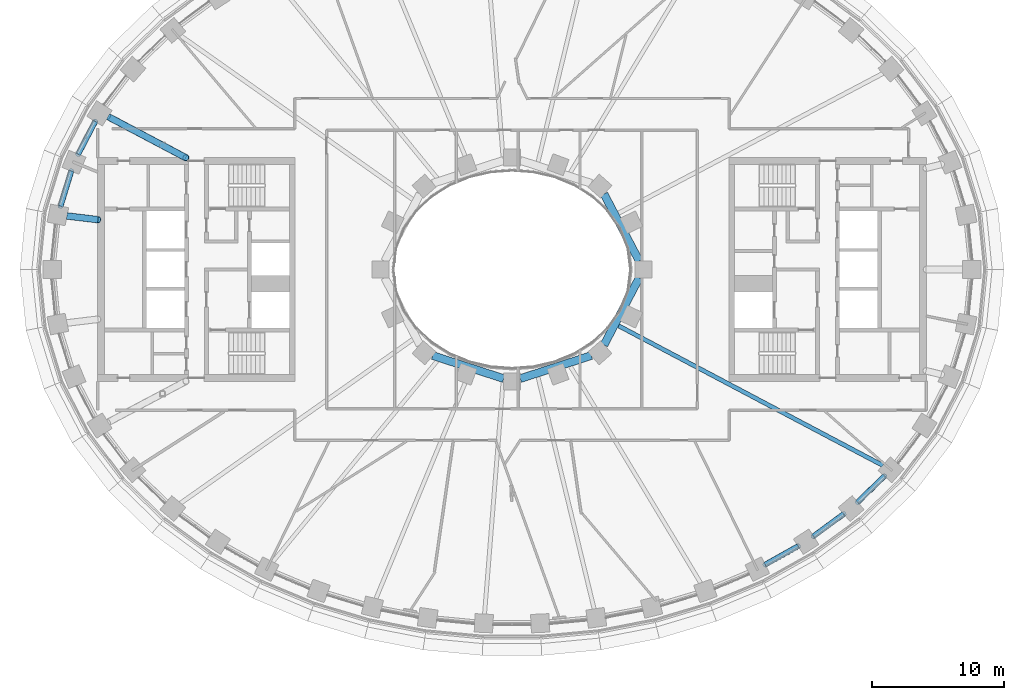
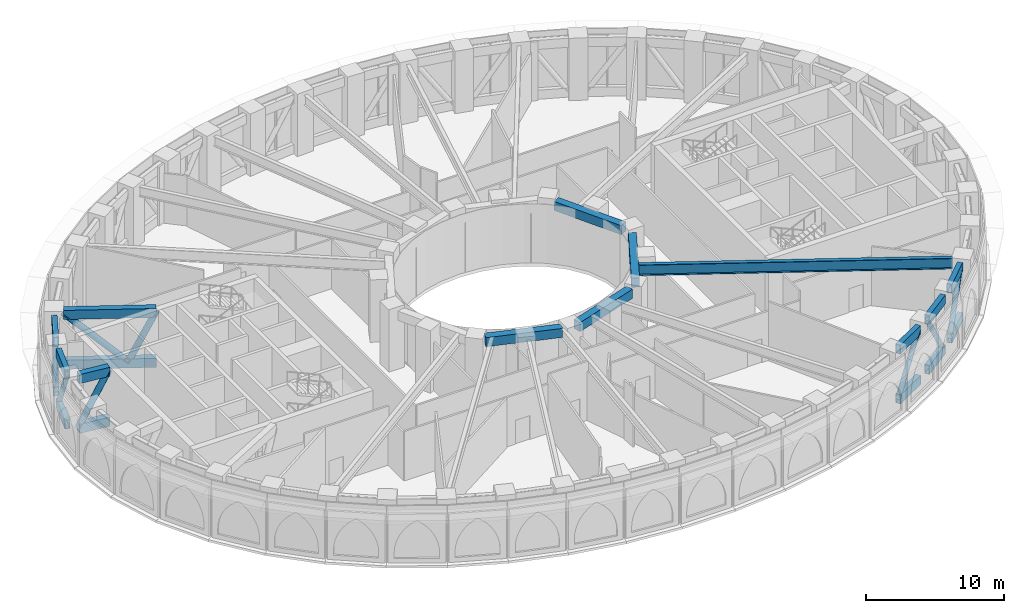
# One storey, part 3 of 25: 19 beams, 8 members.
"""IFC4 building model written with IfcOpenShell, lengths in metres."""

from ifc_helpers import new_model, si_unit, direction, frame, origin, origin_2d, place, context, subcontext, project, spatial, rectangle, hollow_rectangle, hollow_circle, i_section, extrude, material, material_profile, profile_set, type_object, element, save


model = new_model("IFC4")

# Units and contexts
model_context = context("Model", 3, precision=1e-05, world=origin(), true_north=direction((0.0, 1.0)))
body_context = subcontext(model_context, "Body", "Model", "MODEL_VIEW")
ifc_project = project(units=[si_unit("LENGTHUNIT", "METRE"), si_unit("AREAUNIT", "SQUARE_METRE"), si_unit("VOLUMEUNIT", "CUBIC_METRE"), si_unit("PLANEANGLEUNIT", "RADIAN"), si_unit("MASSUNIT", "GRAM", prefix="KILO")], contexts=[model_context])

# Site, building, storey
site_placement = place(None, origin())
site = spatial("IfcSite", under=ifc_project, at=site_placement, CompositionType="ELEMENT")
building_placement = place(site_placement, origin())
building = spatial("IfcBuilding", under=site, at=building_placement, Name="Noorbagh Ring Tower", CompositionType="ELEMENT")
storey_placement = place(building_placement, frame((0.0, 0.0, 82.5)))
storey = spatial("IfcBuildingStorey", under=building, at=storey_placement, Name="L18", CompositionType="ELEMENT", Elevation=82.5)

# Beams
ifc_material_1 = material(Name="Steel S460", Category="steel")
ifc_material_profile_1 = material_profile(ifc_material_1, hollow_rectangle(XDim=0.39990234375, YDim=0.800048828125, WallThickness=0.031982421875, at=origin_2d()), Name="BOX800x400x32")
ifc_profile_set_1 = profile_set([ifc_material_profile_1], Name="Steel S460")
beam_type_1 = type_object("IfcBeamType", Name="STR-BELT-TRUSS-CHORD-BOX800x400x32-S460", PredefinedType="BEAM", material=ifc_profile_set_1)
for number, where, z_axis, x_axis, name in (
    (1, (-31.680419921875, 11.265869140625, 0.39990234375), (-0.462289017529, -0.886729307214, 0.0), (0.886729307214, -0.462289017529, 0.0), "Belt truss chord"),
    (2, (-31.680419921875, 11.265869140625, 4.800048828125), (-0.462289017529, -0.886729307214, 0.0), (0.886729307214, -0.462289017529, 0.0), "Belt truss chord"),
):
    element("IfcBeam", number, at=place(storey_placement, frame(where, z_axis=z_axis, x_axis=x_axis)), inside=storey, type_object=beam_type_1, Name=name, PredefinedType="BEAM", context=body_context, shape_type="SweptSolid", body=[
        extrude(hollow_rectangle(XDim=0.39990234375, YDim=0.800048828125, WallThickness=0.031982421875, at=origin_2d()), origin(), (0.0, 0.0, 1.0), 2.831787109375),
    ])
for number, where, z_axis, x_axis, name in (
    (3, (-33.504638671875, 7.49609375, 0.39990234375), (-0.292214128395, -0.956352917686, 0.0), (0.956352917686, -0.292214128395, 0.0), "Belt truss chord"),
    (4, (-33.504638671875, 7.49609375, 4.800048828125), (-0.292214128395, -0.956352917686, 0.0), (0.956352917686, -0.292214128395, 0.0), "Belt truss chord"),
):
    element("IfcBeam", number, at=place(storey_placement, frame(where, z_axis=z_axis, x_axis=x_axis)), inside=storey, type_object=beam_type_1, Name=name, PredefinedType="BEAM", context=body_context, shape_type="SweptSolid", body=[
        extrude(hollow_rectangle(XDim=0.39990234375, YDim=0.800048828125, WallThickness=0.031982421875, at=origin_2d()), origin(), (0.0, 0.0, 1.0), 2.814697265625),
    ])
for number, where, z_axis, x_axis, name in (
    (5, (19.240234375, -22.4521484375, 0.39990234375), (0.872027306064, 0.489457227426, 0.0), (-0.489457227426, 0.872027306064, 0.0), "Belt truss chord"),
    (6, (19.240234375, -22.4521484375, 4.800048828125), (0.872027306064, 0.489457227426, 0.0), (-0.489457227426, 0.872027306064, 0.0), "Belt truss chord"),
):
    element("IfcBeam", number, at=place(storey_placement, frame(where, z_axis=z_axis, x_axis=x_axis)), inside=storey, type_object=beam_type_1, Name=name, PredefinedType="BEAM", context=body_context, shape_type="SweptSolid", body=[
        extrude(hollow_rectangle(XDim=0.39990234375, YDim=0.800048828125, WallThickness=0.031982421875, at=origin_2d()), origin(), (0.0, 0.0, 1.0), 2.8984375),
    ])
for number, where, z_axis, x_axis, name in (
    (7, (22.91064453125, -20.2958984375, 0.39990234375), (0.805128135374, 0.593100906785, 0.0), (-0.593100906785, 0.805128135374, 0.0), "Belt truss chord"),
    (8, (22.91064453125, -20.2958984375, 4.800048828125), (0.805128135374, 0.593100906785, 0.0), (-0.593100906785, 0.805128135374, 0.0), "Belt truss chord"),
):
    element("IfcBeam", number, at=place(storey_placement, frame(where, z_axis=z_axis, x_axis=x_axis)), inside=storey, type_object=beam_type_1, Name=name, PredefinedType="BEAM", context=body_context, shape_type="SweptSolid", body=[
        extrude(hollow_rectangle(XDim=0.39990234375, YDim=0.800048828125, WallThickness=0.031982421875, at=origin_2d()), origin(), (0.0, 0.0, 1.0), 2.885498046875),
    ])
for number, where, z_axis, x_axis, name in (
    (9, (26.271728515625, -17.705322265625, 0.39990234375), (0.71720161488, 0.69686572854, 0.0), (-0.69686572854, 0.71720161488, 0.0), "Belt truss chord"),
    (10, (26.271728515625, -17.705322265625, 4.800048828125), (0.71720161488, 0.69686572854, 0.0), (-0.69686572854, 0.71720161488, 0.0), "Belt truss chord"),
):
    element("IfcBeam", number, at=place(storey_placement, frame(where, z_axis=z_axis, x_axis=x_axis)), inside=storey, type_object=beam_type_1, Name=name, PredefinedType="BEAM", context=body_context, shape_type="SweptSolid", body=[
        extrude(hollow_rectangle(XDim=0.39990234375, YDim=0.800048828125, WallThickness=0.031982421875, at=origin_2d()), origin(), (0.0, 0.0, 1.0), 2.869384765625),
    ])

# Members
ifc_material_2 = material(Name="Steel S355", Category="steel")
ifc_material_profile_2 = material_profile(ifc_material_2, hollow_circle(Radius=0.203125, WallThickness=0.01611328125, at=origin_2d()), Name="CHS406.4x16")
ifc_profile_set_2 = profile_set([ifc_material_profile_2], Name="Steel S355")
member_type_1 = type_object("IfcMemberType", Name="STR-BELT-TRUSS-DIAGONAL-CHS406.4x16", PredefinedType="BRACE", material=ifc_profile_set_2)
member_1_placement = place(storey_placement, frame((-32.989501953125, 8.7548828125, 0.39990234375), z_axis=(0.250178419674, 0.47987412278, 0.840911163332), x_axis=(-0.886729307214, 0.462289017529, 0.0)))
element("IfcMember", 11, at=member_1_placement, inside=storey, type_object=member_type_1, Name="Belt truss diagonal", PredefinedType="BRACE", context=body_context, shape_type="SweptSolid", body=[
    extrude(hollow_circle(Radius=0.203125, WallThickness=0.01611328125, at=origin_2d()), origin(), (0.0, 0.0, 1.0), 5.232666015625),
])
member_2_placement = place(storey_placement, frame((-33.504638671875, 7.49609375, 0.39990234375), z_axis=(-0.157465779171, -0.515351048126, 0.842388168), x_axis=(0.956352917686, -0.292214128395, 0.0)))
element("IfcMember", 12, at=member_2_placement, inside=storey, type_object=member_type_1, Name="Belt truss diagonal", PredefinedType="BRACE", context=body_context, shape_type="SweptSolid", body=[
    extrude(hollow_circle(Radius=0.203125, WallThickness=0.01611328125, at=origin_2d()), origin(), (0.0, 0.0, 1.0), 5.223388671875),
])
member_3_placement = place(storey_placement, frame((19.240234375, -22.4521484375, 0.39990234375), z_axis=(0.479706270357, 0.269252693619, 0.835095731733), x_axis=(-0.489457227426, 0.872027306064, 0.0)))
element("IfcMember", 13, at=member_3_placement, inside=storey, type_object=member_type_1, Name="Belt truss diagonal", PredefinedType="BRACE", context=body_context, shape_type="SweptSolid", body=[
    extrude(hollow_circle(Radius=0.203125, WallThickness=0.01611328125, at=origin_2d()), origin(), (0.0, 0.0, 1.0), 5.26904296875),
])
member_4_placement = place(storey_placement, frame((25.23388671875, -18.58447265625, 0.39990234375), z_axis=(-0.441520503226, -0.325247869652, 0.836225728209), x_axis=(0.593100906785, -0.805128135374, 0.0)))
element("IfcMember", 14, at=member_4_placement, inside=storey, type_object=member_type_1, Name="Belt truss diagonal", PredefinedType="BRACE", context=body_context, shape_type="SweptSolid", body=[
    extrude(hollow_circle(Radius=0.203125, WallThickness=0.01611328125, at=origin_2d()), origin(), (0.0, 0.0, 1.0), 5.261962890625),
])
member_5_placement = place(storey_placement, frame((26.271728515625, -17.705322265625, 0.39990234375), z_axis=(0.391748874364, 0.380641034647, 0.837642657807), x_axis=(-0.69686572854, 0.71720161488, 0.0)))
element("IfcMember", 15, at=member_5_placement, inside=storey, type_object=member_type_1, Name="Belt truss diagonal", PredefinedType="BRACE", context=body_context, shape_type="SweptSolid", body=[
    extrude(hollow_circle(Radius=0.203125, WallThickness=0.01611328125, at=origin_2d()), origin(), (0.0, 0.0, 1.0), 5.2529296875),
])

# Beams
ifc_material_3 = material(Name="Steel S460", Category="steel")
ifc_material_profile_3 = material_profile(ifc_material_3, hollow_rectangle(XDim=0.5, YDim=0.800048828125, WallThickness=0.0400390625, at=origin_2d()), Name="BOX800x500x40")
ifc_profile_set_3 = profile_set([ifc_material_profile_3], Name="Steel S460")
beam_type_2 = type_object("IfcBeamType", Name="STR-OUTRIGGER-TRUSS-CHORD-BOX800x500x40-S460", PredefinedType="BEAM", material=ifc_profile_set_3)
for number, where, z_axis, x_axis, name in (
    (16, (-30.71533203125, 11.625, 0.39990234375), (0.884102249546, -0.46729349701, 0.0), (0.46729349701, 0.884102249546, 0.0), "Outrigger truss chord"),
    (17, (-30.71533203125, 11.625, 4.800048828125), (0.884102249546, -0.46729349701, 0.0), (0.46729349701, 0.884102249546, 0.0), "Outrigger truss chord"),
):
    element("IfcBeam", number, at=place(storey_placement, frame(where, z_axis=z_axis, x_axis=x_axis)), inside=storey, type_object=beam_type_2, Name=name, PredefinedType="BEAM", context=body_context, shape_type="SweptSolid", body=[
        extrude(hollow_rectangle(XDim=0.5, YDim=0.800048828125, WallThickness=0.0400390625, at=origin_2d()), origin(), (0.0, 0.0, 1.0), 6.70263671875),
    ])
for number, where, z_axis, x_axis, name in (
    (18, (-33.849365234375, 4.0693359375, 0.39990234375), (0.992846305677, -0.119399385689, 0.0), (0.119399385689, 0.992846305677, 0.0), "Outrigger truss chord"),
    (19, (-33.849365234375, 4.0693359375, 4.800048828125), (0.992846305677, -0.119399385689, 0.0), (0.119399385689, 0.992846305677, 0.0), "Outrigger truss chord"),
):
    element("IfcBeam", number, at=place(storey_placement, frame(where, z_axis=z_axis, x_axis=x_axis)), inside=storey, type_object=beam_type_2, Name=name, PredefinedType="BEAM", context=body_context, shape_type="SweptSolid", body=[
        extrude(hollow_rectangle(XDim=0.5, YDim=0.800048828125, WallThickness=0.0400390625, at=origin_2d()), origin(), (0.0, 0.0, 1.0), 2.38623046875),
    ])

# Members
ifc_material_4 = material(Name="Steel S355", Category="steel")
ifc_material_profile_4 = material_profile(ifc_material_4, hollow_circle(Radius=0.25390625, WallThickness=0.02490234375, at=origin_2d()), Name="CHS508x25")
ifc_profile_set_4 = profile_set([ifc_material_profile_4], Name="Steel S355")
member_type_2 = type_object("IfcMemberType", Name="STR-OUTRIGGER-TRUSS-DIAGONAL-CHS508x25", PredefinedType="BRACE", material=ifc_profile_set_4)
member_6_placement = place(storey_placement, frame((-26.577392578125, 9.43798828125, 0.39990234375), z_axis=(-0.644144733164, 0.340447726691, 0.684961975681), x_axis=(-0.467276455168, -0.884111256826, 0.0)))
element("IfcMember", 20, at=member_6_placement, inside=storey, type_object=member_type_2, Name="Outrigger truss diagonal", PredefinedType="BRACE", context=body_context, shape_type="SweptSolid", body=[
    extrude(hollow_circle(Radius=0.25390625, WallThickness=0.02490234375, at=origin_2d()), origin(), (0.0, 0.0, 1.0), 6.423828125),
])
member_7_placement = place(storey_placement, frame((-26.577392578125, 9.43798828125, 0.39990234375), z_axis=(0.369190107009, -0.195157026387, 0.908632158763), x_axis=(0.467332938161, 0.884081401744, 0.0)))
element("IfcMember", 21, at=member_7_placement, inside=storey, type_object=member_type_2, Name="Outrigger truss diagonal", PredefinedType="BRACE", context=body_context, shape_type="SweptSolid", body=[
    extrude(hollow_circle(Radius=0.25390625, WallThickness=0.02490234375, at=origin_2d()), origin(), (0.0, 0.0, 1.0), 4.842529296875),
])
member_8_placement = place(storey_placement, frame((-33.849365234375, 4.0693359375, 0.39990234375), z_axis=(0.47330502112, -0.056919513566, 0.879057748932), x_axis=(0.119399385689, 0.992846305677, 0.0)))
element("IfcMember", 22, at=member_8_placement, inside=storey, type_object=member_type_2, Name="Outrigger truss diagonal", PredefinedType="BRACE", context=body_context, shape_type="SweptSolid", body=[
    extrude(hollow_circle(Radius=0.25390625, WallThickness=0.02490234375, at=origin_2d()), origin(), (0.0, 0.0, 1.0), 5.005615234375),
])

# Beams
ifc_material_5 = material(Name="Steel S355", Category="steel")
ifc_material_profile_5 = material_profile(ifc_material_5, i_section(OverallWidth=0.320068359375, OverallDepth=0.949951171875, WebThickness=0.01611328125, FlangeThickness=0.030029296875, at=origin_2d()), Name="PG950x320x16x30")
ifc_profile_set_5 = profile_set([ifc_material_profile_5], Name="Steel S355")
beam_type_3 = type_object("IfcBeamType", Name="STR-RAD-PG950x320x16x30", PredefinedType="BEAM", material=ifc_profile_set_5)
beam_1_placement = place(storey_placement, frame((28.19970703125, -14.9033203125, 4.72509765625), z_axis=(-0.884120965314, 0.467258085742, 0.0), x_axis=(-0.467258085742, -0.884120965314, 0.0)))
element("IfcBeam", 23, at=beam_1_placement, inside=storey, type_object=beam_type_3, Name="L18/bm/RD43", PredefinedType="BEAM", context=body_context, shape_type="SweptSolid", body=[
    extrude(i_section(OverallWidth=0.320068359375, OverallDepth=0.949951171875, WebThickness=0.01611328125, FlangeThickness=0.030029296875, at=origin_2d()), origin(), (0.0, 0.0, 1.0), 22.754638671875),
])
ifc_material_6 = material(Name="Concrete C40/50", Category="concrete")
ifc_material_profile_6 = material_profile(ifc_material_6, rectangle(XDim=0.60009765625, YDim=0.800048828125, at=origin_2d()), Name="RC600x800")
ifc_profile_set_6 = profile_set([ifc_material_profile_6], Name="Concrete C40/50")
beam_type_4 = type_object("IfcBeamType", Name="STR-RB-RC600x800-C40-50", PredefinedType="BEAM", material=ifc_profile_set_6)
beam_2_placement = place(storey_placement, frame((9.67626953125, 0.63232421875, 4.800048828125), z_axis=(-0.464932685401, 0.885346032942, 0.0), x_axis=(-0.885346032942, -0.464932685401, 0.0)))
element("IfcBeam", 24, at=beam_2_placement, inside=storey, type_object=beam_type_4, Name="L18/bm/RG01", PredefinedType="BEAM", context=body_context, shape_type="SweptSolid", body=[
    extrude(rectangle(XDim=0.60009765625, YDim=0.800048828125, at=origin_2d()), origin(), (0.0, 0.0, 1.0), 5.763671875),
])
for number, where, z_axis, x_axis, name in (
    (25, (-6.02783203125, -6.546142578125, 4.800048828125), (0.95114088461, -0.308757214691, 0.0), (0.308757214691, 0.95114088461, 0.0), "L18/bm/RG11"),
    (26, (0.630859375, -8.298095703125, 4.800048828125), (0.95114088461, 0.308757214691, 0.0), (-0.308757214691, 0.95114088461, 0.0), "L18/bm/RG13"),
):
    element("IfcBeam", number, at=place(storey_placement, frame(where, z_axis=z_axis, x_axis=x_axis)), inside=storey, type_object=beam_type_4, Name=name, PredefinedType="BEAM", context=body_context, shape_type="SweptSolid", body=[
        extrude(rectangle(XDim=0.60009765625, YDim=0.800048828125, at=origin_2d()), origin(), (0.0, 0.0, 1.0), 5.67431640625),
    ])
beam_3_placement = place(storey_placement, frame((6.99658203125, -5.735107421875, 4.800048828125), z_axis=(0.464932685401, 0.885346032942, 0.0), x_axis=(-0.885346032942, 0.464932685401, 0.0)))
element("IfcBeam", 27, at=beam_3_placement, inside=storey, type_object=beam_type_4, Name="L18/bm/RG15", PredefinedType="BEAM", context=body_context, shape_type="SweptSolid", body=[
    extrude(rectangle(XDim=0.60009765625, YDim=0.800048828125, at=origin_2d()), origin(), (0.0, 0.0, 1.0), 5.763671875),
])

save(model, "model.ifc")
